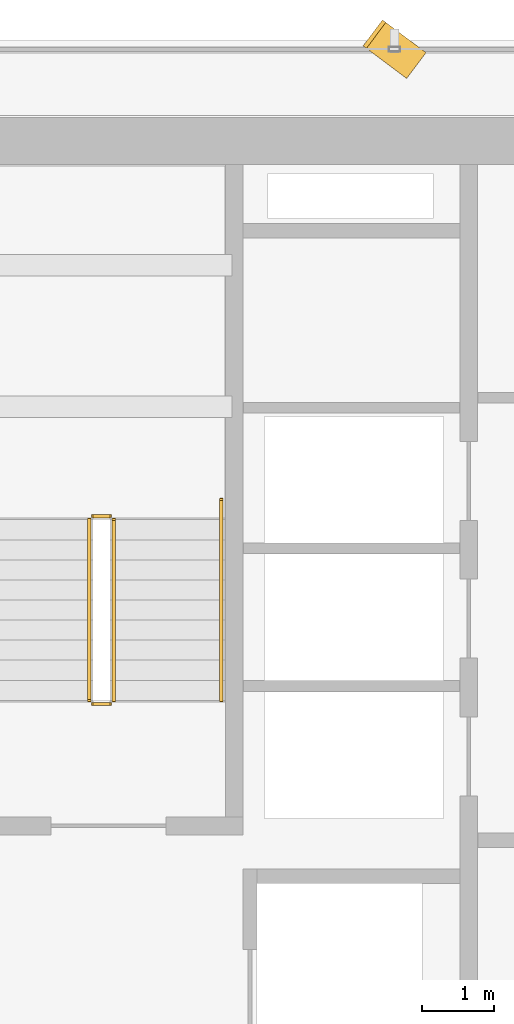
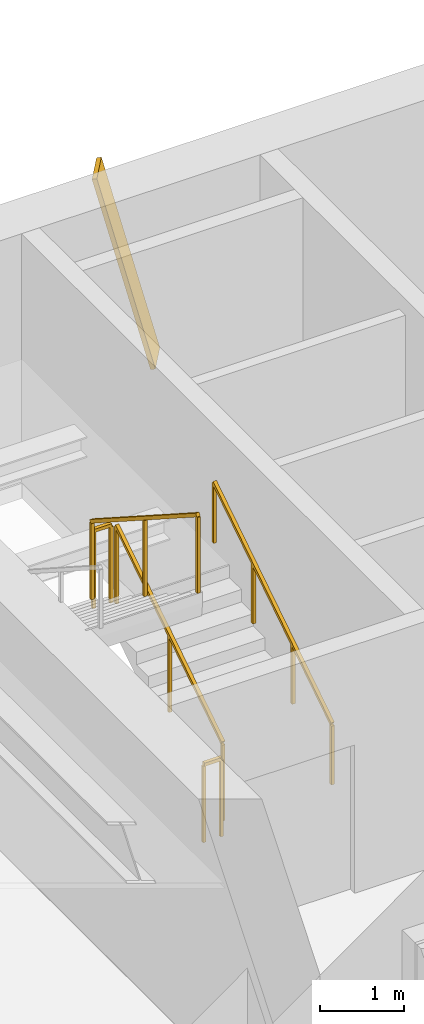
# One storey, part 25 of 28: 5 railings, 1 shading device.
"""IFC4 building model written with IfcOpenShell, lengths in metres."""

from ifc_helpers import new_model, si_unit, direction, frame, origin, origin_2d, place, context, subcontext, project, spatial, rectangle, extrude, source, transform, mapped, material, material_profile, profile_set, type_object, element, save


model = new_model("IFC4")

# Units and contexts
model_context = context("Model", 3, precision=1e-05, world=origin(), true_north=direction((0.0, 1.0)))
body_context = subcontext(model_context, "Body", "Model", "MODEL_VIEW")
ifc_project = project(units=[si_unit("LENGTHUNIT", "METRE"), si_unit("AREAUNIT", "SQUARE_METRE"), si_unit("VOLUMEUNIT", "CUBIC_METRE"), si_unit("PLANEANGLEUNIT", "RADIAN"), si_unit("MASSUNIT", "GRAM", prefix="KILO")], contexts=[model_context])

# Site, building, storey
site_placement = place(None, origin())
site = spatial("IfcSite", under=ifc_project, at=site_placement, CompositionType="ELEMENT")
building_placement = place(site_placement, origin())
building = spatial("IfcBuilding", under=site, at=building_placement, Name="Sumidabori Civic Tower", CompositionType="ELEMENT")
storey_placement = place(building_placement, frame((0.0, 0.0, 167.60009765625)))
storey = spatial("IfcBuildingStorey", under=building, at=storey_placement, Name="L43", CompositionType="ELEMENT", Elevation=167.60009765625)

# Railings
ifc_material_1 = material(Name="Stainless Steel Hairline Finish", Category="steel")
railing_type_1 = type_object("IfcRailingType", Name="RL-HANDRAIL", PredefinedType="HANDRAIL", material=ifc_material_1)
railing_1_placement = place(storey_placement, frame((-11.949951171875, 16.0, 0.179931640625)))
element("IfcRailing", 1, at=railing_1_placement, inside=storey, type_object=railing_type_1, Name="L43 ST-1 stair handrail 1", PredefinedType="HANDRAIL", context=body_context, shape_type="SweptSolid", body=[
    extrude(rectangle(XDim=0.048095703125, YDim=0.048095703125, at=origin_2d()), frame((0.0, 0.0, 0.8759765625), z_axis=(0.0, 0.840675598268, 0.541539046124), x_axis=(-1.0, 0.0, 0.0)), (0.0, 0.0, 1.0), 3.330810546875),
    extrude(rectangle(XDim=0.0419921875, YDim=0.0419921875, at=origin_2d()), origin(), (0.0, 0.0, 1.0), 0.851806640625),
    extrude(rectangle(XDim=0.0419921875, YDim=0.0419921875, at=origin_2d()), frame((0.0, 0.933349609375, 0.601318359375)), (0.0, 0.0, 1.0), 0.851806640625),
    extrude(rectangle(XDim=0.0419921875, YDim=0.0419921875, at=origin_2d()), frame((0.0, 1.86669921875, 1.202392578125)), (0.0, 0.0, 1.0), 0.851806640625),
    extrude(rectangle(XDim=0.0419921875, YDim=0.0419921875, at=origin_2d()), frame((0.0, 2.800048828125, 1.8037109375)), (0.0, 0.0, 1.0), 0.851806640625),
])
ifc_material_2 = material(Name="Steel SN490", Category="steel")
railing_type_2 = type_object("IfcRailingType", Name="RL-STAIR-GUARD", PredefinedType="GUARDRAIL", material=ifc_material_2)
railing_2_placement = place(storey_placement, frame((-13.449951171875, 16.0, 0.179931640625)))
element("IfcRailing", 2, at=railing_2_placement, inside=storey, type_object=railing_type_2, Name="L43 ST-1 stair guard 1", PredefinedType="GUARDRAIL", context=body_context, shape_type="SweptSolid", body=[
    extrude(rectangle(XDim=0.048095703125, YDim=0.048095703125, at=origin_2d()), frame((0.0, 0.0, 1.1259765625), z_axis=(0.0, 0.841199657755, 0.540724639528), x_axis=(-1.0, 0.0, 0.0)), (0.0, 0.0, 1.0), 2.995849609375),
    extrude(rectangle(XDim=0.0419921875, YDim=0.0419921875, at=origin_2d()), origin(), (0.0, 0.0, 1.0), 1.101806640625),
    extrude(rectangle(XDim=0.0419921875, YDim=0.0419921875, at=origin_2d()), frame((0.0, 1.260009765625, 0.81005859375)), (0.0, 0.0, 1.0), 1.101806640625),
    extrude(rectangle(XDim=0.0419921875, YDim=0.0419921875, at=origin_2d()), frame((0.0, 2.52001953125, 1.619873046875)), (0.0, 0.0, 1.0), 1.101806640625),
])
railing_3_placement = place(storey_placement, frame((-13.5, 18.570068359375, 1.7998046875)))
element("IfcRailing", 3, at=railing_3_placement, inside=storey, type_object=railing_type_2, Name="L43 ST-1 stair guard 2", PredefinedType="GUARDRAIL", context=body_context, shape_type="SweptSolid", body=[
    extrude(rectangle(XDim=0.048095703125, YDim=0.048095703125, at=origin_2d()), frame((0.0, 0.0, 1.1259765625), z_axis=(-1.0, 0.0, 0.0), x_axis=(0.0, -1.0, 0.0)), (0.0, 0.0, 1.0), 0.239990234375),
    extrude(rectangle(XDim=0.0419921875, YDim=0.0419921875, at=origin_2d()), origin(), (0.0, 0.0, 1.0), 1.101806640625),
    extrude(rectangle(XDim=0.0419921875, YDim=0.0419921875, at=origin_2d()), frame((-0.239990234375, 0.0, 0.0)), (0.0, 0.0, 1.0), 1.101806640625),
])
railing_4_placement = place(storey_placement, frame((-13.7900390625, 18.52001953125, 1.97998046875)))
element("IfcRailing", 4, at=railing_4_placement, inside=storey, type_object=railing_type_2, Name="L43 ST-1 stair guard 3", PredefinedType="GUARDRAIL", context=body_context, shape_type="SweptSolid", body=[
    extrude(rectangle(XDim=0.048095703125, YDim=0.048095703125, at=origin_2d()), frame((0.0, 0.0, 1.1259765625), z_axis=(0.0, -0.841199657755, 0.540724639528), x_axis=(1.0, 0.0, 0.0)), (0.0, 0.0, 1.0), 2.995849609375),
    extrude(rectangle(XDim=0.0419921875, YDim=0.0419921875, at=origin_2d()), origin(), (0.0, 0.0, 1.0), 1.101806640625),
    extrude(rectangle(XDim=0.0419921875, YDim=0.0419921875, at=origin_2d()), frame((0.0, -1.260009765625, 0.81005859375)), (0.0, 0.0, 1.0), 1.101806640625),
    extrude(rectangle(XDim=0.0419921875, YDim=0.0419921875, at=origin_2d()), frame((0.0, -2.52001953125, 1.619873046875)), (0.0, 0.0, 1.0), 1.101806640625),
])
railing_5_placement = place(storey_placement, frame((-13.5, 15.949951171875, 0.0)))
element("IfcRailing", 5, at=railing_5_placement, inside=storey, type_object=railing_type_2, Name="L43 ST-1 stair guard 4", PredefinedType="GUARDRAIL", context=body_context, shape_type="SweptSolid", body=[
    extrude(rectangle(XDim=0.048095703125, YDim=0.048095703125, at=origin_2d()), frame((0.0, 0.0, 1.1259765625), z_axis=(-1.0, 0.0, 0.0), x_axis=(0.0, -1.0, 0.0)), (0.0, 0.0, 1.0), 0.239990234375),
    extrude(rectangle(XDim=0.0419921875, YDim=0.0419921875, at=origin_2d()), origin(), (0.0, 0.0, 1.0), 1.101806640625),
    extrude(rectangle(XDim=0.0419921875, YDim=0.0419921875, at=origin_2d()), frame((-0.239990234375, 0.0, 0.0)), (0.0, 0.0, 1.0), 1.101806640625),
])

# Shading device
ifc_material_3 = material(Name="Anodised Bronze Aluminium AW-6063-T6", Category="aluminium")
ifc_material_profile = material_profile(ifc_material_3, rectangle(XDim=0.06005859375, YDim=0.449951171875, at=origin_2d()), Name="BRONZE FIN 450x60")
ifc_profile_set = profile_set([ifc_material_profile], Name="Anodised Bronze Aluminium AW-6063-T6")
shading_device_type = type_object("IfcShadingDeviceType", Name="SH-FIN-450", PredefinedType="USERDEFINED", material=ifc_profile_set)
shared_shape = source(origin(), body_context, "Body", "SweptSolid", [
    extrude(rectangle(XDim=0.06005859375, YDim=0.449951171875, at=origin_2d()), origin(), (0.0, 0.0, 1.0), 2.789306640625),
])
shading_device_placement = place(storey_placement, frame((-9.2548828125, 24.8701171875, 0.02001953125), z_axis=(-0.200794136335, 0.150551837182, 0.967995794998), x_axis=(0.774477654896, -0.580689436103, 0.250966413819)))
element("IfcShadingDevice", 6, at=shading_device_placement, inside=storey, type_object=shading_device_type, Name="Bronze Anodised Diagonal Fin L43-03", ObjectType="FIN", PredefinedType="USERDEFINED", context=body_context, shape_type="MappedRepresentation", body=[
    mapped(shared_shape, transform((0.0, 0.0, 0.0), x_axis=(1.0, 0.0, 0.0), y_axis=(0.0, 1.0, 0.0), z_axis=(0.0, 0.0, 1.0), scale=1.0)),
])

save(model, "model.ifc")
